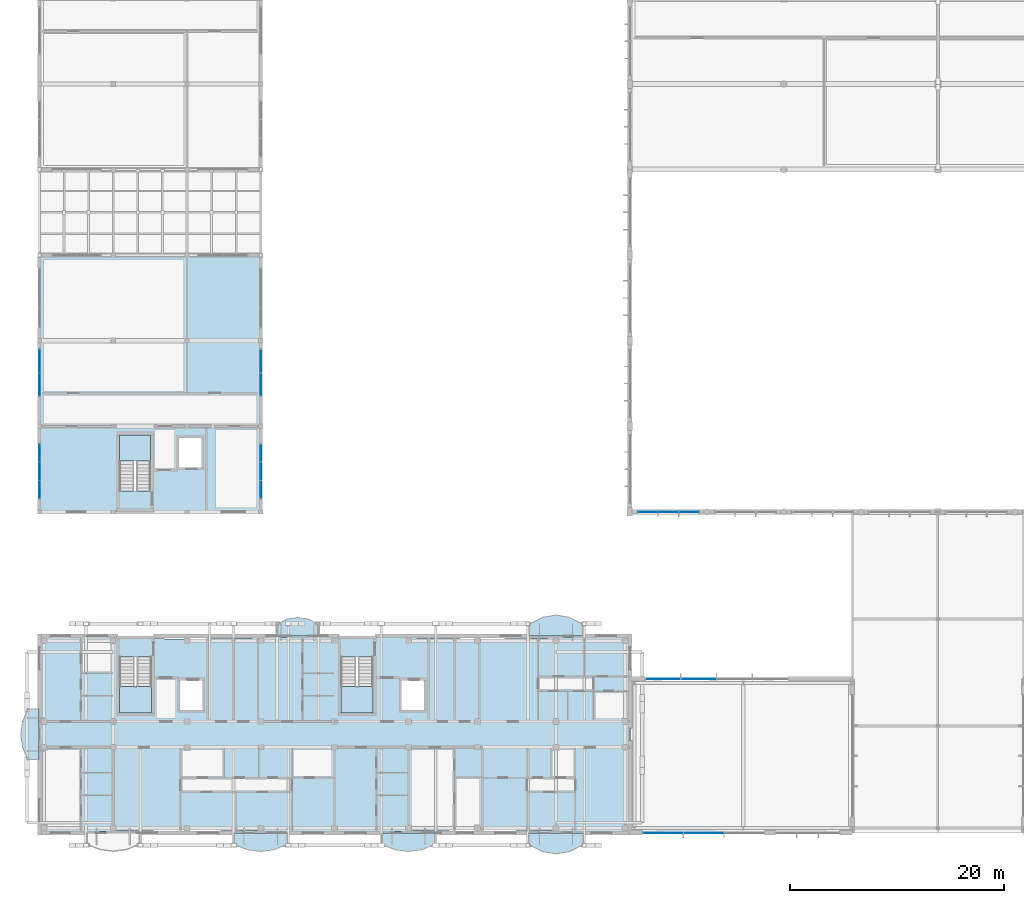
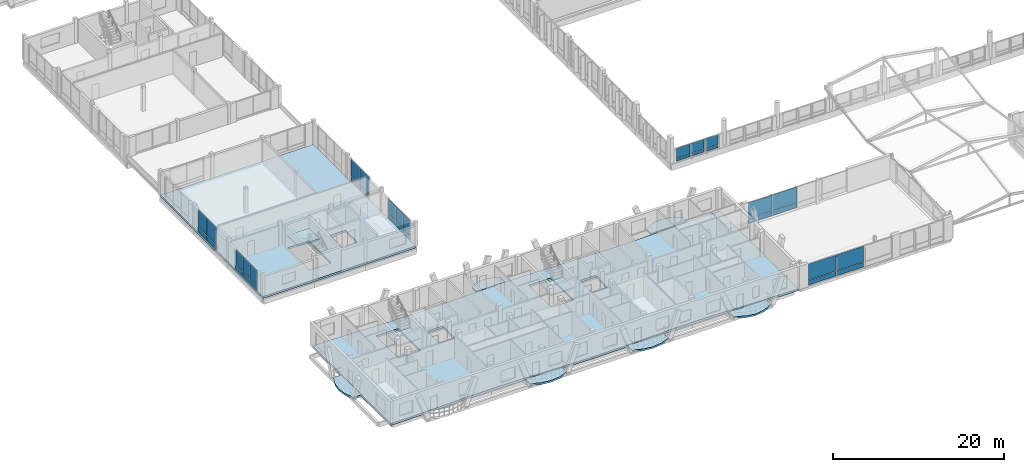
# One storey, part 123 of 189: 34 plates, 11 slabs, 10 elements without a shape of their own.
"""IFC4 building model written with IfcOpenShell, lengths in metres."""

from ifc_helpers import new_model, si_unit, direction, frame, origin, origin_2d, place, context, subcontext, project, spatial, polyline, rectangle, outline, extrude, material, layer, layer_set, type_object, element, aggregate, save


model = new_model("IFC4")

# Units and contexts
model_context = context("Model", 3, precision=1e-05, world=origin(), true_north=direction((0.0, 1.0)))
body_context = subcontext(model_context, "Body", "Model", "MODEL_VIEW")
ifc_project = project(units=[si_unit("LENGTHUNIT", "METRE"), si_unit("AREAUNIT", "SQUARE_METRE"), si_unit("VOLUMEUNIT", "CUBIC_METRE"), si_unit("PLANEANGLEUNIT", "RADIAN"), si_unit("MASSUNIT", "GRAM", prefix="KILO")], contexts=[model_context])

# Site, building, storey
site_placement = place(None, origin())
site = spatial("IfcSite", under=ifc_project, at=site_placement, CompositionType="ELEMENT")
building_placement = place(site_placement, origin())
building = spatial("IfcBuilding", under=site, at=building_placement, Name="Zavelmont Quarter", CompositionType="ELEMENT")
storey_placement = place(building_placement, frame((0.0, 0.0, 4.39990234375)))
storey = spatial("IfcBuildingStorey", under=building, at=storey_placement, Name="L01", CompositionType="ELEMENT", Elevation=4.39990234375)

# Curtain wall, plates
ifc_material_1 = material(Name="Thermally broken aluminium and double low-E safety glazing", Category="aluminium")
curtain_wall_type_1 = type_object("IfcCurtainWallType", Name="CW-520X296", PredefinedType="NOTDEFINED", material=ifc_material_1)
curtain_wall_1_placement = place(storey_placement, origin())
curtain_wall_1 = element("IfcCurtainWall", 1, at=curtain_wall_1_placement, inside=storey, type_object=curtain_wall_type_1, Name="L01 unitised curtain wall CW-520X296", PredefinedType="NOTDEFINED")
ifc_material_2 = material(Name="Insulated anodised-aluminium spandrel panel", Category="aluminium")
ifc_layer_1 = layer(ifc_material_2, 0.0400390625)
ifc_layer_set_1 = layer_set([ifc_layer_1], Name="Insulated anodised-aluminium spandrel panel")
plate_type_1 = type_object("IfcPlateType", Name="CWP-SPD-1645X620", PredefinedType="CURTAIN_PANEL", material=ifc_layer_set_1)
plate_1_placement = place(storey_placement, frame((0.0, 32.081787109375, 0.06005859375), z_axis=(0.0, 0.0, 1.0), x_axis=(0.0, 1.0, 0.0)))
plate_1 = element("IfcPlate", 2, at=plate_1_placement, type_object=plate_type_1, Name="CW-520X296 panel 1.1", PredefinedType="CURTAIN_PANEL", context=body_context, shape_type="SweptSolid", body=[
    extrude(rectangle(XDim=1.643310546875, YDim=0.0400390625, at=origin_2d()), origin(), (0.0, 0.0, 1.0), 0.6201171875),
])
plate_2_placement = place(storey_placement, frame((0.0, 35.518310546875, 0.06005859375), z_axis=(0.0, 0.0, 1.0), x_axis=(0.0, 1.0, 0.0)))
plate_2 = element("IfcPlate", 3, at=plate_2_placement, type_object=plate_type_1, Name="CW-520X296 panel 3.1", PredefinedType="CURTAIN_PANEL", context=body_context, shape_type="SweptSolid", body=[
    extrude(rectangle(XDim=1.643310546875, YDim=0.0400390625, at=origin_2d()), origin(), (0.0, 0.0, 1.0), 0.6201171875),
])

curtain_wall_2_placement = place(storey_placement, origin())
curtain_wall_2 = element("IfcCurtainWall", 4, at=curtain_wall_2_placement, inside=storey, type_object=curtain_wall_type_1, Name="L01 unitised curtain wall CW-520X296", PredefinedType="NOTDEFINED")
plate_3_placement = place(storey_placement, frame((20.699951171875, 32.081787109375, 0.06005859375), z_axis=(0.0, 0.0, 1.0), x_axis=(0.0, 1.0, 0.0)))
plate_3 = element("IfcPlate", 5, at=plate_3_placement, type_object=plate_type_1, Name="CW-520X296 panel 1.1", PredefinedType="CURTAIN_PANEL", context=body_context, shape_type="SweptSolid", body=[
    extrude(rectangle(XDim=1.643310546875, YDim=0.0400390625, at=origin_2d()), origin(), (0.0, 0.0, 1.0), 0.6201171875),
])
plate_4_placement = place(storey_placement, frame((20.699951171875, 35.518310546875, 0.06005859375), z_axis=(0.0, 0.0, 1.0), x_axis=(0.0, 1.0, 0.0)))
plate_4 = element("IfcPlate", 6, at=plate_4_placement, type_object=plate_type_1, Name="CW-520X296 panel 3.1", PredefinedType="CURTAIN_PANEL", context=body_context, shape_type="SweptSolid", body=[
    extrude(rectangle(XDim=1.643310546875, YDim=0.0400390625, at=origin_2d()), origin(), (0.0, 0.0, 1.0), 0.6201171875),
])

# Plate
ifc_layer_2 = layer(ifc_material_2, 0.0400390625)
ifc_layer_set_2 = layer_set([ifc_layer_2], Name="Insulated anodised-aluminium spandrel panel")
plate_type_2 = type_object("IfcPlateType", Name="CWP-SPD-1675X620", PredefinedType="CURTAIN_PANEL", material=ifc_layer_set_2)
plate_5_placement = place(storey_placement, frame((0.0, 33.800048828125, 0.06005859375), z_axis=(0.0, 0.0, 1.0), x_axis=(0.0, 1.0, 0.0)))
plate_5 = element("IfcPlate", 7, at=plate_5_placement, type_object=plate_type_2, Name="CW-520X296 panel 2.1", PredefinedType="CURTAIN_PANEL", context=body_context, shape_type="SweptSolid", body=[
    extrude(rectangle(XDim=1.67333984375, YDim=0.0400390625, at=origin_2d()), origin(), (0.0, 0.0, 1.0), 0.6201171875),
])

plate_6_placement = place(storey_placement, frame((20.699951171875, 33.800048828125, 0.06005859375), z_axis=(0.0, 0.0, 1.0), x_axis=(0.0, 1.0, 0.0)))
plate_6 = element("IfcPlate", 8, at=plate_6_placement, type_object=plate_type_2, Name="CW-520X296 panel 2.1", PredefinedType="CURTAIN_PANEL", context=body_context, shape_type="SweptSolid", body=[
    extrude(rectangle(XDim=1.67333984375, YDim=0.0400390625, at=origin_2d()), origin(), (0.0, 0.0, 1.0), 0.6201171875),
])

# Curtain wall, plates
curtain_wall_type_2 = type_object("IfcCurtainWallType", Name="CW-580X198", PredefinedType="NOTDEFINED", material=ifc_material_1)
curtain_wall_3_placement = place(storey_placement, origin())
curtain_wall_3 = element("IfcCurtainWall", 9, at=curtain_wall_3_placement, inside=storey, type_object=curtain_wall_type_2, Name="L01 unitised curtain wall CW-580X198", PredefinedType="NOTDEFINED")
ifc_layer_3 = layer(ifc_material_2, 0.0400390625)
ifc_layer_set_3 = layer_set([ifc_layer_3], Name="Insulated anodised-aluminium spandrel panel")
plate_type_3 = type_object("IfcPlateType", Name="CWP-SPD-1830X370", PredefinedType="CURTAIN_PANEL", material=ifc_layer_set_3)
plate_7_placement = place(storey_placement, frame((56.88427734375, 30.0, -0.2099609375), z_axis=(0.0, 0.0, 1.0), x_axis=(1.0, 0.0, 0.0)))
plate_7 = element("IfcPlate", 10, at=plate_7_placement, type_object=plate_type_3, Name="CW-580X198 panel 1.1", PredefinedType="CURTAIN_PANEL", context=body_context, shape_type="SweptSolid", body=[
    extrude(rectangle(XDim=1.828369140625, YDim=0.0400390625, at=origin_2d()), origin(), (0.0, 0.0, 1.0), 0.368896484375),
])
plate_8_placement = place(storey_placement, frame((60.7158203125, 30.0, -0.2099609375), z_axis=(0.0, 0.0, 1.0), x_axis=(1.0, 0.0, 0.0)))
plate_8 = element("IfcPlate", 11, at=plate_8_placement, type_object=plate_type_3, Name="CW-580X198 panel 3.1", PredefinedType="CURTAIN_PANEL", context=body_context, shape_type="SweptSolid", body=[
    extrude(rectangle(XDim=1.828369140625, YDim=0.0400390625, at=origin_2d()), origin(), (0.0, 0.0, 1.0), 0.368896484375),
])
ifc_layer_4 = layer(ifc_material_2, 0.0400390625)
ifc_layer_set_4 = layer_set([ifc_layer_4], Name="Insulated anodised-aluminium spandrel panel")
plate_type_4 = type_object("IfcPlateType", Name="CWP-SPD-1865X370", PredefinedType="CURTAIN_PANEL", material=ifc_layer_set_4)
plate_9_placement = place(storey_placement, frame((58.800048828125, 30.0, -0.2099609375), z_axis=(0.0, 0.0, 1.0), x_axis=(1.0, 0.0, 0.0)))
plate_9 = element("IfcPlate", 12, at=plate_9_placement, type_object=plate_type_4, Name="CW-580X198 panel 2.1", PredefinedType="CURTAIN_PANEL", context=body_context, shape_type="SweptSolid", body=[
    extrude(rectangle(XDim=1.86328125, YDim=0.0400390625, at=origin_2d()), origin(), (0.0, 0.0, 1.0), 0.368896484375),
])

curtain_wall_type_3 = type_object("IfcCurtainWallType", Name="CW-440X333", PredefinedType="NOTDEFINED", material=ifc_material_1)
curtain_wall_4_placement = place(storey_placement, origin())
curtain_wall_4 = element("IfcCurtainWall", 13, at=curtain_wall_4_placement, inside=storey, type_object=curtain_wall_type_3, Name="L01 unitised curtain wall CW-440X333", PredefinedType="NOTDEFINED")
ifc_layer_5 = layer(ifc_material_2, 0.0400390625)
ifc_layer_set_5 = layer_set([ifc_layer_5], Name="Insulated anodised-aluminium spandrel panel")
plate_type_5 = type_object("IfcPlateType", Name="CWP-SPD-2110X710", PredefinedType="CURTAIN_PANEL", material=ifc_layer_set_5)
plate_10_placement = place(storey_placement, frame((0.0, 41.9150390625, 0.06005859375), z_axis=(0.0, 0.0, 1.0), x_axis=(0.0, 1.0, 0.0)))
plate_10 = element("IfcPlate", 14, at=plate_10_placement, type_object=plate_type_5, Name="CW-440X333 panel 1.1", PredefinedType="CURTAIN_PANEL", context=body_context, shape_type="SweptSolid", body=[
    extrude(rectangle(XDim=2.110107421875, YDim=0.0400390625, at=origin_2d()), origin(), (0.0, 0.0, 1.0), 0.708984375),
])
plate_11_placement = place(storey_placement, frame((0.0, 44.0849609375, 0.06005859375), z_axis=(0.0, 0.0, 1.0), x_axis=(0.0, 1.0, 0.0)))
plate_11 = element("IfcPlate", 15, at=plate_11_placement, type_object=plate_type_5, Name="CW-440X333 panel 2.1", PredefinedType="CURTAIN_PANEL", context=body_context, shape_type="SweptSolid", body=[
    extrude(rectangle(XDim=2.110107421875, YDim=0.0400390625, at=origin_2d()), origin(), (0.0, 0.0, 1.0), 0.708984375),
])

curtain_wall_5_placement = place(storey_placement, origin())
curtain_wall_5 = element("IfcCurtainWall", 16, at=curtain_wall_5_placement, inside=storey, type_object=curtain_wall_type_3, Name="L01 unitised curtain wall CW-440X333", PredefinedType="NOTDEFINED")
plate_12_placement = place(storey_placement, frame((20.699951171875, 41.9150390625, 0.06005859375), z_axis=(0.0, 0.0, 1.0), x_axis=(0.0, 1.0, 0.0)))
plate_12 = element("IfcPlate", 17, at=plate_12_placement, type_object=plate_type_5, Name="CW-440X333 panel 1.1", PredefinedType="CURTAIN_PANEL", context=body_context, shape_type="SweptSolid", body=[
    extrude(rectangle(XDim=2.110107421875, YDim=0.0400390625, at=origin_2d()), origin(), (0.0, 0.0, 1.0), 0.708984375),
])
plate_13_placement = place(storey_placement, frame((20.699951171875, 44.0849609375, 0.06005859375), z_axis=(0.0, 0.0, 1.0), x_axis=(0.0, 1.0, 0.0)))
plate_13 = element("IfcPlate", 18, at=plate_13_placement, type_object=plate_type_5, Name="CW-440X333 panel 2.1", PredefinedType="CURTAIN_PANEL", context=body_context, shape_type="SweptSolid", body=[
    extrude(rectangle(XDim=2.110107421875, YDim=0.0400390625, at=origin_2d()), origin(), (0.0, 0.0, 1.0), 0.708984375),
])

curtain_wall_type_4 = type_object("IfcCurtainWallType", Name="CW-1340X310", PredefinedType="NOTDEFINED", material=ifc_material_1)
curtain_wall_6_placement = place(storey_placement, origin())
curtain_wall_6 = element("IfcCurtainWall", 19, at=curtain_wall_6_placement, inside=storey, type_object=curtain_wall_type_4, Name="L01 unitised curtain wall CW-1340X310", PredefinedType="NOTDEFINED")
ifc_layer_6 = layer(ifc_material_2, 0.0400390625)
ifc_layer_set_6 = layer_set([ifc_layer_6], Name="Insulated anodised-aluminium spandrel panel")
plate_type_6 = type_object("IfcPlateType", Name="CWP-SPD-3260X655", PredefinedType="CURTAIN_PANEL", material=ifc_layer_set_6)
plate_14_placement = place(storey_placement, frame((58.2900390625, 14.39990234375, 0.06005859375), z_axis=(0.0, 0.0, 1.0), x_axis=(1.0, 0.0, 0.0)))
plate_14 = element("IfcPlate", 20, at=plate_14_placement, type_object=plate_type_6, Name="CW-1340X310 panel 1.1", PredefinedType="CURTAIN_PANEL", context=body_context, shape_type="SweptSolid", body=[
    extrude(rectangle(XDim=3.260009765625, YDim=0.0400390625, at=origin_2d()), origin(), (0.0, 0.0, 1.0), 0.654052734375),
])
ifc_layer_7 = layer(ifc_material_2, 0.0400390625)
ifc_layer_set_7 = layer_set([ifc_layer_7], Name="Insulated anodised-aluminium spandrel panel")
plate_type_7 = type_object("IfcPlateType", Name="CWP-SPD-3290X655", PredefinedType="CURTAIN_PANEL", material=ifc_layer_set_7)
plate_15_placement = place(storey_placement, frame((61.625, 14.39990234375, 0.06005859375), z_axis=(0.0, 0.0, 1.0), x_axis=(1.0, 0.0, 0.0)))
plate_15 = element("IfcPlate", 21, at=plate_15_placement, type_object=plate_type_7, Name="CW-1340X310 panel 2.1", PredefinedType="CURTAIN_PANEL", context=body_context, shape_type="SweptSolid", body=[
    extrude(rectangle(XDim=3.2900390625, YDim=0.0400390625, at=origin_2d()), origin(), (0.0, 0.0, 1.0), 0.654052734375),
])

curtain_wall_type_5 = type_object("IfcCurtainWallType", Name="CW-1140X310", PredefinedType="NOTDEFINED", material=ifc_material_1)
curtain_wall_7_placement = place(storey_placement, origin())
curtain_wall_7 = element("IfcCurtainWall", 22, at=curtain_wall_7_placement, inside=storey, type_object=curtain_wall_type_5, Name="L01 unitised curtain wall CW-1140X310", PredefinedType="NOTDEFINED")
ifc_layer_8 = layer(ifc_material_2, 0.0400390625)
ifc_layer_set_8 = layer_set([ifc_layer_8], Name="Insulated anodised-aluminium spandrel panel")
plate_type_8 = type_object("IfcPlateType", Name="CWP-SPD-3710X655", PredefinedType="CURTAIN_PANEL", material=ifc_layer_set_8)
plate_16_placement = place(storey_placement, frame((58.31494140625, 0.0, 0.06005859375), z_axis=(0.0, 0.0, 1.0), x_axis=(1.0, 0.0, 0.0)))
plate_16 = element("IfcPlate", 23, at=plate_16_placement, type_object=plate_type_8, Name="CW-1140X310 panel 1.1", PredefinedType="CURTAIN_PANEL", context=body_context, shape_type="SweptSolid", body=[
    extrude(rectangle(XDim=3.7099609375, YDim=0.0400390625, at=origin_2d()), origin(), (0.0, 0.0, 1.0), 0.654052734375),
])
ifc_layer_9 = layer(ifc_material_2, 0.0400390625)
ifc_layer_set_9 = layer_set([ifc_layer_9], Name="Insulated anodised-aluminium spandrel panel")
plate_type_9 = type_object("IfcPlateType", Name="CWP-SPD-3740X655", PredefinedType="CURTAIN_PANEL", material=ifc_layer_set_9)
plate_17_placement = place(storey_placement, frame((62.10009765625, 0.0, 0.06005859375), z_axis=(0.0, 0.0, 1.0), x_axis=(1.0, 0.0, 0.0)))
plate_17 = element("IfcPlate", 24, at=plate_17_placement, type_object=plate_type_9, Name="CW-1140X310 panel 2.1", PredefinedType="CURTAIN_PANEL", context=body_context, shape_type="SweptSolid", body=[
    extrude(rectangle(XDim=3.739990234375, YDim=0.0400390625, at=origin_2d()), origin(), (0.0, 0.0, 1.0), 0.654052734375),
])

# Plate
ifc_material_3 = material(Name="Double low-E insulated vision glass", Category="glass")
ifc_layer_10 = layer(ifc_material_3, 0.028076171875)
ifc_layer_set_10 = layer_set([ifc_layer_10], Name="Double low-E insulated vision glass")
plate_type_10 = type_object("IfcPlateType", Name="CWP-VIS-1645X2160", PredefinedType="CURTAIN_PANEL", material=ifc_layer_set_10)
plate_18_placement = place(storey_placement, frame((0.0, 32.081787109375, 0.740234375), z_axis=(0.0, 0.0, 1.0), x_axis=(0.0, 1.0, 0.0)))
plate_18 = element("IfcPlate", 25, at=plate_18_placement, type_object=plate_type_10, Name="CW-520X296 panel 1.2", PredefinedType="CURTAIN_PANEL", context=body_context, shape_type="SweptSolid", body=[
    extrude(rectangle(XDim=1.643310546875, YDim=0.028076171875, at=origin_2d()), origin(), (0.0, 0.0, 1.0), 2.159912109375),
])

plate_19_placement = place(storey_placement, frame((0.0, 35.518310546875, 0.740234375), z_axis=(0.0, 0.0, 1.0), x_axis=(0.0, 1.0, 0.0)))
plate_19 = element("IfcPlate", 26, at=plate_19_placement, type_object=plate_type_10, Name="CW-520X296 panel 3.2", PredefinedType="CURTAIN_PANEL", context=body_context, shape_type="SweptSolid", body=[
    extrude(rectangle(XDim=1.643310546875, YDim=0.028076171875, at=origin_2d()), origin(), (0.0, 0.0, 1.0), 2.159912109375),
])

plate_20_placement = place(storey_placement, frame((20.699951171875, 32.081787109375, 0.740234375), z_axis=(0.0, 0.0, 1.0), x_axis=(0.0, 1.0, 0.0)))
plate_20 = element("IfcPlate", 27, at=plate_20_placement, type_object=plate_type_10, Name="CW-520X296 panel 1.2", PredefinedType="CURTAIN_PANEL", context=body_context, shape_type="SweptSolid", body=[
    extrude(rectangle(XDim=1.643310546875, YDim=0.028076171875, at=origin_2d()), origin(), (0.0, 0.0, 1.0), 2.159912109375),
])

plate_21_placement = place(storey_placement, frame((20.699951171875, 35.518310546875, 0.740234375), z_axis=(0.0, 0.0, 1.0), x_axis=(0.0, 1.0, 0.0)))
plate_21 = element("IfcPlate", 28, at=plate_21_placement, type_object=plate_type_10, Name="CW-520X296 panel 3.2", PredefinedType="CURTAIN_PANEL", context=body_context, shape_type="SweptSolid", body=[
    extrude(rectangle(XDim=1.643310546875, YDim=0.028076171875, at=origin_2d()), origin(), (0.0, 0.0, 1.0), 2.159912109375),
])

ifc_layer_11 = layer(ifc_material_3, 0.028076171875)
ifc_layer_set_11 = layer_set([ifc_layer_11], Name="Double low-E insulated vision glass")
plate_type_11 = type_object("IfcPlateType", Name="CWP-VIS-1675X2160", PredefinedType="CURTAIN_PANEL", material=ifc_layer_set_11)
plate_22_placement = place(storey_placement, frame((0.0, 33.800048828125, 0.740234375), z_axis=(0.0, 0.0, 1.0), x_axis=(0.0, 1.0, 0.0)))
plate_22 = element("IfcPlate", 29, at=plate_22_placement, type_object=plate_type_11, Name="CW-520X296 panel 2.2", PredefinedType="CURTAIN_PANEL", context=body_context, shape_type="SweptSolid", body=[
    extrude(rectangle(XDim=1.67333984375, YDim=0.028076171875, at=origin_2d()), origin(), (0.0, 0.0, 1.0), 2.159912109375),
])

aggregate(curtain_wall_1, [plate_1, plate_18, plate_5, plate_22, plate_2, plate_19])

plate_23_placement = place(storey_placement, frame((20.699951171875, 33.800048828125, 0.740234375), z_axis=(0.0, 0.0, 1.0), x_axis=(0.0, 1.0, 0.0)))
plate_23 = element("IfcPlate", 30, at=plate_23_placement, type_object=plate_type_11, Name="CW-520X296 panel 2.2", PredefinedType="CURTAIN_PANEL", context=body_context, shape_type="SweptSolid", body=[
    extrude(rectangle(XDim=1.67333984375, YDim=0.028076171875, at=origin_2d()), origin(), (0.0, 0.0, 1.0), 2.159912109375),
])

aggregate(curtain_wall_2, [plate_3, plate_20, plate_6, plate_23, plate_4, plate_21])

ifc_layer_12 = layer(ifc_material_3, 0.028076171875)
ifc_layer_set_12 = layer_set([ifc_layer_12], Name="Double low-E insulated vision glass")
plate_type_12 = type_object("IfcPlateType", Name="CWP-VIS-1830X1395", PredefinedType="CURTAIN_PANEL", material=ifc_layer_set_12)
plate_24_placement = place(storey_placement, frame((56.88427734375, 30.0, 0.22900390625), z_axis=(0.0, 0.0, 1.0), x_axis=(1.0, 0.0, 0.0)))
plate_24 = element("IfcPlate", 31, at=plate_24_placement, type_object=plate_type_12, Name="CW-580X198 panel 1.2", PredefinedType="CURTAIN_PANEL", context=body_context, shape_type="SweptSolid", body=[
    extrude(rectangle(XDim=1.828369140625, YDim=0.028076171875, at=origin_2d()), origin(), (0.0, 0.0, 1.0), 1.39599609375),
])

plate_25_placement = place(storey_placement, frame((60.7158203125, 30.0, 0.22900390625), z_axis=(0.0, 0.0, 1.0), x_axis=(1.0, 0.0, 0.0)))
plate_25 = element("IfcPlate", 32, at=plate_25_placement, type_object=plate_type_12, Name="CW-580X198 panel 3.2", PredefinedType="CURTAIN_PANEL", context=body_context, shape_type="SweptSolid", body=[
    extrude(rectangle(XDim=1.828369140625, YDim=0.028076171875, at=origin_2d()), origin(), (0.0, 0.0, 1.0), 1.39599609375),
])

ifc_layer_13 = layer(ifc_material_3, 0.028076171875)
ifc_layer_set_13 = layer_set([ifc_layer_13], Name="Double low-E insulated vision glass")
plate_type_13 = type_object("IfcPlateType", Name="CWP-VIS-1865X1395", PredefinedType="CURTAIN_PANEL", material=ifc_layer_set_13)
plate_26_placement = place(storey_placement, frame((58.800048828125, 30.0, 0.22900390625), z_axis=(0.0, 0.0, 1.0), x_axis=(1.0, 0.0, 0.0)))
plate_26 = element("IfcPlate", 33, at=plate_26_placement, type_object=plate_type_13, Name="CW-580X198 panel 2.2", PredefinedType="CURTAIN_PANEL", context=body_context, shape_type="SweptSolid", body=[
    extrude(rectangle(XDim=1.86328125, YDim=0.028076171875, at=origin_2d()), origin(), (0.0, 0.0, 1.0), 1.39599609375),
])

aggregate(curtain_wall_3, [plate_7, plate_24, plate_9, plate_26, plate_8, plate_25])

ifc_layer_14 = layer(ifc_material_3, 0.028076171875)
ifc_layer_set_14 = layer_set([ifc_layer_14], Name="Double low-E insulated vision glass")
plate_type_14 = type_object("IfcPlateType", Name="CWP-VIS-2110X2440", PredefinedType="CURTAIN_PANEL", material=ifc_layer_set_14)
plate_27_placement = place(storey_placement, frame((0.0, 41.9150390625, 0.8291015625), z_axis=(0.0, 0.0, 1.0), x_axis=(0.0, 1.0, 0.0)))
plate_27 = element("IfcPlate", 34, at=plate_27_placement, type_object=plate_type_14, Name="CW-440X333 panel 1.2", PredefinedType="CURTAIN_PANEL", context=body_context, shape_type="SweptSolid", body=[
    extrude(rectangle(XDim=2.110107421875, YDim=0.028076171875, at=origin_2d()), origin(), (0.0, 0.0, 1.0), 2.44091796875),
])

plate_28_placement = place(storey_placement, frame((0.0, 44.0849609375, 0.8291015625), z_axis=(0.0, 0.0, 1.0), x_axis=(0.0, 1.0, 0.0)))
plate_28 = element("IfcPlate", 35, at=plate_28_placement, type_object=plate_type_14, Name="CW-440X333 panel 2.2", PredefinedType="CURTAIN_PANEL", context=body_context, shape_type="SweptSolid", body=[
    extrude(rectangle(XDim=2.110107421875, YDim=0.028076171875, at=origin_2d()), origin(), (0.0, 0.0, 1.0), 2.44091796875),
])

aggregate(curtain_wall_4, [plate_10, plate_27, plate_11, plate_28])

plate_29_placement = place(storey_placement, frame((20.699951171875, 41.9150390625, 0.8291015625), z_axis=(0.0, 0.0, 1.0), x_axis=(0.0, 1.0, 0.0)))
plate_29 = element("IfcPlate", 36, at=plate_29_placement, type_object=plate_type_14, Name="CW-440X333 panel 1.2", PredefinedType="CURTAIN_PANEL", context=body_context, shape_type="SweptSolid", body=[
    extrude(rectangle(XDim=2.110107421875, YDim=0.028076171875, at=origin_2d()), origin(), (0.0, 0.0, 1.0), 2.44091796875),
])

plate_30_placement = place(storey_placement, frame((20.699951171875, 44.0849609375, 0.8291015625), z_axis=(0.0, 0.0, 1.0), x_axis=(0.0, 1.0, 0.0)))
plate_30 = element("IfcPlate", 37, at=plate_30_placement, type_object=plate_type_14, Name="CW-440X333 panel 2.2", PredefinedType="CURTAIN_PANEL", context=body_context, shape_type="SweptSolid", body=[
    extrude(rectangle(XDim=2.110107421875, YDim=0.028076171875, at=origin_2d()), origin(), (0.0, 0.0, 1.0), 2.44091796875),
])

aggregate(curtain_wall_5, [plate_12, plate_29, plate_13, plate_30])

ifc_layer_15 = layer(ifc_material_3, 0.028076171875)
ifc_layer_set_15 = layer_set([ifc_layer_15], Name="Double low-E insulated vision glass")
plate_type_15 = type_object("IfcPlateType", Name="CWP-VIS-3260X2265", PredefinedType="CURTAIN_PANEL", material=ifc_layer_set_15)
plate_31_placement = place(storey_placement, frame((58.2900390625, 14.39990234375, 0.77392578125), z_axis=(0.0, 0.0, 1.0), x_axis=(1.0, 0.0, 0.0)))
plate_31 = element("IfcPlate", 38, at=plate_31_placement, type_object=plate_type_15, Name="CW-1340X310 panel 1.2", PredefinedType="CURTAIN_PANEL", context=body_context, shape_type="SweptSolid", body=[
    extrude(rectangle(XDim=3.260009765625, YDim=0.028076171875, at=origin_2d()), origin(), (0.0, 0.0, 1.0), 2.26611328125),
])

ifc_layer_16 = layer(ifc_material_3, 0.028076171875)
ifc_layer_set_16 = layer_set([ifc_layer_16], Name="Double low-E insulated vision glass")
plate_type_16 = type_object("IfcPlateType", Name="CWP-VIS-3290X2265", PredefinedType="CURTAIN_PANEL", material=ifc_layer_set_16)
plate_32_placement = place(storey_placement, frame((61.625, 14.39990234375, 0.77392578125), z_axis=(0.0, 0.0, 1.0), x_axis=(1.0, 0.0, 0.0)))
plate_32 = element("IfcPlate", 39, at=plate_32_placement, type_object=plate_type_16, Name="CW-1340X310 panel 2.2", PredefinedType="CURTAIN_PANEL", context=body_context, shape_type="SweptSolid", body=[
    extrude(rectangle(XDim=3.2900390625, YDim=0.028076171875, at=origin_2d()), origin(), (0.0, 0.0, 1.0), 2.26611328125),
])

aggregate(curtain_wall_6, [plate_14, plate_31, plate_15, plate_32])

ifc_layer_17 = layer(ifc_material_3, 0.028076171875)
ifc_layer_set_17 = layer_set([ifc_layer_17], Name="Double low-E insulated vision glass")
plate_type_17 = type_object("IfcPlateType", Name="CWP-VIS-3710X2265", PredefinedType="CURTAIN_PANEL", material=ifc_layer_set_17)
plate_33_placement = place(storey_placement, frame((58.31494140625, 0.0, 0.77392578125), z_axis=(0.0, 0.0, 1.0), x_axis=(1.0, 0.0, 0.0)))
plate_33 = element("IfcPlate", 40, at=plate_33_placement, type_object=plate_type_17, Name="CW-1140X310 panel 1.2", PredefinedType="CURTAIN_PANEL", context=body_context, shape_type="SweptSolid", body=[
    extrude(rectangle(XDim=3.7099609375, YDim=0.028076171875, at=origin_2d()), origin(), (0.0, 0.0, 1.0), 2.26611328125),
])

ifc_layer_18 = layer(ifc_material_3, 0.028076171875)
ifc_layer_set_18 = layer_set([ifc_layer_18], Name="Double low-E insulated vision glass")
plate_type_18 = type_object("IfcPlateType", Name="CWP-VIS-3740X2265", PredefinedType="CURTAIN_PANEL", material=ifc_layer_set_18)
plate_34_placement = place(storey_placement, frame((62.10009765625, 0.0, 0.77392578125), z_axis=(0.0, 0.0, 1.0), x_axis=(1.0, 0.0, 0.0)))
plate_34 = element("IfcPlate", 41, at=plate_34_placement, type_object=plate_type_18, Name="CW-1140X310 panel 2.2", PredefinedType="CURTAIN_PANEL", context=body_context, shape_type="SweptSolid", body=[
    extrude(rectangle(XDim=3.739990234375, YDim=0.028076171875, at=origin_2d()), origin(), (0.0, 0.0, 1.0), 2.26611328125),
])

aggregate(curtain_wall_7, [plate_16, plate_33, plate_17, plate_34])

# Slabs
ifc_material_4 = material(Name="White architectural precast concrete C40/50", Category="concrete")
ifc_layer_19 = layer(ifc_material_4, 0.235107421875)
ifc_layer_set_19 = layer_set([ifc_layer_19], Name="White architectural precast concrete C40/50")
slab_type_1 = type_object("IfcSlabType", Name="SL-BL180", PredefinedType="FLOOR", material=ifc_layer_set_19)
slab_1_placement = place(storey_placement, frame((0.0, 0.0, -0.23486328125)))
element("IfcSlab", 42, at=slab_1_placement, inside=storey, type_object=slab_type_1, Name="L01 Block A street vase 4 balcony SL-BL180", PredefinedType="FLOOR", context=body_context, shape_type="SweptSolid", body=[
    extrude(outline(polyline([(45.767333984375, -0.02001953125), (45.767333984375, -1.100341796875), (47.03369140625, -1.748779296875), (48.300048828125, -1.965087890625), (49.56640625, -1.748779296875), (50.83251953125, -1.100341796875), (50.83251953125, -0.02001953125), (45.767333984375, -0.02001953125)])), origin(), (0.0, 0.0, 1.0), 0.23486328125),
])
slab_2_placement = place(storey_placement, frame((0.0, 0.0, -0.23486328125)))
element("IfcSlab", 43, at=slab_2_placement, inside=storey, type_object=slab_type_1, Name="L01 Block A courtyard central vase balcony SL-BL180", PredefinedType="FLOOR", context=body_context, shape_type="SweptSolid", body=[
    extrude(outline(polyline([(26.08642578125, 18.419921875), (26.08642578125, 19.5), (25.1181640625, 19.976318359375), (24.14990234375, 20.135009765625), (23.181884765625, 19.976318359375), (22.213623046875, 19.5), (22.213623046875, 18.419921875), (26.08642578125, 18.419921875)])), origin(), (0.0, 0.0, 1.0), 0.23486328125),
])
ifc_layer_20 = layer(ifc_material_4, 0.2451171875)
ifc_layer_set_20 = layer_set([ifc_layer_20], Name="White architectural precast concrete C40/50")
slab_type_2 = type_object("IfcSlabType", Name="SL-BL200", PredefinedType="FLOOR", material=ifc_layer_set_20)
slab_3_placement = place(storey_placement, frame((0.0, 0.0, -0.244873046875)))
element("IfcSlab", 44, at=slab_3_placement, inside=storey, type_object=slab_type_2, Name="L01 Block A street vase 3 balcony SL-BL200", PredefinedType="FLOOR", context=body_context, shape_type="SweptSolid", body=[
    extrude(outline(polyline([(32.05029296875, -0.02001953125), (32.05029296875, -1.10009765625), (33.275146484375, -1.576416015625), (34.5, -1.735107421875), (35.724853515625, -1.576416015625), (36.94970703125, -1.10009765625), (36.94970703125, -0.02001953125), (32.05029296875, -0.02001953125)])), origin(), (0.0, 0.0, 1.0), 0.244873046875),
])
slab_4_placement = place(storey_placement, frame((0.0, 0.0, -0.244873046875)))
element("IfcSlab", 45, at=slab_4_placement, inside=storey, type_object=slab_type_2, Name="L01 Block A courtyard outer vase balcony SL-BL200", PredefinedType="FLOOR", context=body_context, shape_type="SweptSolid", body=[
    extrude(outline(polyline([(50.767333984375, 18.419921875), (50.767333984375, 19.50048828125), (49.53369140625, 20.148681640625), (48.300048828125, 20.364990234375), (47.06640625, 20.148681640625), (45.832763671875, 19.50048828125), (45.832763671875, 18.419921875), (50.767333984375, 18.419921875)])), origin(), (0.0, 0.0, 1.0), 0.244873046875),
])
ifc_layer_21 = layer(ifc_material_4, 0.2548828125)
ifc_layer_set_21 = layer_set([ifc_layer_21], Name="White architectural precast concrete C40/50")
slab_type_3 = type_object("IfcSlabType", Name="SL-BL220", PredefinedType="FLOOR", material=ifc_layer_set_21)
slab_5_placement = place(storey_placement, frame((0.0, 0.0, -0.2548828125)))
element("IfcSlab", 46, at=slab_5_placement, inside=storey, type_object=slab_type_3, Name="L01 Block A street vase 2 balcony SL-BL220", PredefinedType="FLOOR", context=body_context, shape_type="SweptSolid", body=[
    extrude(outline(polyline([(18.25048828125, -0.02001953125), (18.25048828125, -1.10009765625), (19.47509765625, -1.576416015625), (20.699951171875, -1.735107421875), (21.9248046875, -1.576416015625), (23.149658203125, -1.10009765625), (23.149658203125, -0.02001953125), (18.25048828125, -0.02001953125)])), origin(), (0.0, 0.0, 1.0), 0.2548828125),
])
slab_6_placement = place(storey_placement, frame((0.0, 0.0, -0.2548828125)))
element("IfcSlab", 47, at=slab_6_placement, inside=storey, type_object=slab_type_3, Name="L01 Block A boulevard vase balcony SL-BL220", PredefinedType="FLOOR", context=body_context, shape_type="SweptSolid", body=[
    extrude(outline(polyline([(-0.02001953125, 11.55908203125), (-1.10009765625, 11.55908203125), (-1.576416015625, 10.37939453125), (-1.735107421875, 9.199951171875), (-1.576416015625, 8.0205078125), (-1.10009765625, 6.841064453125), (-0.02001953125, 6.841064453125), (-0.02001953125, 11.55908203125)])), origin(), (0.0, 0.0, 1.0), 0.2548828125),
])
ifc_material_5 = material(Name="Concrete C40/50", Category="concrete")
ifc_layer_22 = layer(ifc_material_5, 0.280029296875)
ifc_layer_set_22 = layer_set([ifc_layer_22], Name="Concrete C40/50")
slab_type_4 = type_object("IfcSlabType", Name="SL-FL280", PredefinedType="FLOOR", material=ifc_layer_set_22)
slab_7_placement = place(storey_placement, frame((0.0, 0.0, -0.27978515625)))
element("IfcSlab", 48, at=slab_7_placement, inside=storey, type_object=slab_type_4, Name="L01 Block A floor slab SL-FL280", PredefinedType="FLOOR", context=body_context, shape_type="SweptSolid", body=[
    extrude(outline(polyline([(0.0, 0.0), (3.449951171875, 0.041015625), (6.89990234375, 0.139892578125), (10.35009765625, 0.239013671875), (13.800048828125, 0.280029296875), (17.25, 0.239013671875), (20.699951171875, 0.139892578125), (24.14990234375, 0.041015625), (27.60009765625, 0.0), (31.050048828125, 0.041015625), (34.5, 0.139892578125), (37.949951171875, 0.239013671875), (41.39990234375, 0.280029296875), (44.85009765625, 0.239013671875), (48.300048828125, 0.139892578125), (51.75, 0.041015625), (55.199951171875, 0.0), (55.199951171875, 3.679931640625), (55.199951171875, 7.360107421875), (55.199951171875, 11.0400390625), (55.199951171875, 14.719970703125), (55.199951171875, 18.39990234375), (51.75, 18.35888671875), (48.300048828125, 18.260009765625), (44.85009765625, 18.160888671875), (41.39990234375, 18.1201171875), (37.949951171875, 18.160888671875), (34.5, 18.260009765625), (31.050048828125, 18.35888671875), (27.60009765625, 18.39990234375), (24.14990234375, 18.35888671875), (20.699951171875, 18.260009765625), (17.25, 18.160888671875), (13.800048828125, 18.1201171875), (10.35009765625, 18.160888671875), (6.89990234375, 18.260009765625), (3.449951171875, 18.35888671875), (0.0, 18.39990234375), (0.0, 14.719970703125), (0.0, 11.0400390625), (0.0, 7.360107421875), (0.0, 3.679931640625), (0.0, 0.0)]), holes=[polyline([(7.5, 16.425048828125), (7.5, 11.199951171875), (10.5, 11.199951171875), (10.5, 16.425048828125), (7.5, 16.425048828125)]), polyline([(13.14990234375, 11.5), (15.25, 11.5), (15.25, 14.25), (13.14990234375, 14.25), (13.14990234375, 11.5)]), polyline([(28.199951171875, 16.425048828125), (28.199951171875, 11.199951171875), (31.199951171875, 11.199951171875), (31.199951171875, 16.425048828125), (28.199951171875, 16.425048828125)]), polyline([(33.85009765625, 11.5), (35.949951171875, 11.5), (35.949951171875, 14.25), (33.85009765625, 14.25), (33.85009765625, 11.5)])]), origin(), (0.0, 0.0, 1.0), 0.27978515625),
])
slab_8_placement = place(storey_placement, frame((0.0, 0.0, -0.27978515625)))
element("IfcSlab", 49, at=slab_8_placement, inside=storey, type_object=slab_type_4, Name="L01 West Shops South slab SL-FL280", PredefinedType="FLOOR", context=body_context, shape_type="SweptSolid", body=[
    extrude(outline(polyline([(0.0, 30.0), (20.699951171875, 30.0), (20.699951171875, 54.0), (0.0, 54.0), (0.0, 30.0)]), holes=[polyline([(10.39990234375, 31.97509765625), (10.39990234375, 37.199951171875), (7.5, 37.199951171875), (7.5, 31.97509765625), (10.39990234375, 31.97509765625)]), polyline([(13.050048828125, 34.14990234375), (15.14990234375, 34.14990234375), (15.14990234375, 36.89990234375), (13.050048828125, 36.89990234375), (13.050048828125, 34.14990234375)])]), origin(), (0.0, 0.0, 1.0), 0.27978515625),
])

# Stair, slab
ifc_material_6 = material(Name="Concrete C35/45", Category="concrete")
stair_type_1 = type_object("IfcStairType", Name="STR-1400-1800", PredefinedType="HALF_TURN_STAIR", material=ifc_material_6)
stair_1_placement = place(storey_placement, origin())
stair_1 = element("IfcStair", 50, at=stair_1_placement, inside=storey, type_object=stair_type_1, Name="L01 protected stair ST01", PredefinedType="HALF_TURN_STAIR")
ifc_layer_23 = layer(ifc_material_6, 0.199951171875)
ifc_layer_set_23 = layer_set([ifc_layer_23], Name="Concrete C35/45")
slab_type_5 = type_object("IfcSlabType", Name="SL-LND200", PredefinedType="LANDING", material=ifc_layer_set_23)
slab_9_placement = place(storey_placement, frame((0.0, 0.0, 1.60009765625)))
slab_9 = element("IfcSlab", 51, at=slab_9_placement, type_object=slab_type_5, Name="ST01 landing 1", PredefinedType="LANDING", context=body_context, shape_type="SweptSolid", body=[
    extrude(outline(polyline([(7.5, 13.659912109375), (7.5, 11.199951171875), (10.5, 11.199951171875), (10.5, 13.659912109375), (7.5, 13.659912109375)])), origin(), (0.0, 0.0, 1.0), 0.199951171875),
])
aggregate(stair_1, [slab_9])

stair_2_placement = place(storey_placement, origin())
stair_2 = element("IfcStair", 52, at=stair_2_placement, inside=storey, type_object=stair_type_1, Name="L01 protected stair ST02", PredefinedType="HALF_TURN_STAIR")
slab_10_placement = place(storey_placement, frame((0.0, 0.0, 1.60009765625)))
slab_10 = element("IfcSlab", 53, at=slab_10_placement, type_object=slab_type_5, Name="ST02 landing 1", PredefinedType="LANDING", context=body_context, shape_type="SweptSolid", body=[
    extrude(outline(polyline([(28.199951171875, 13.659912109375), (28.199951171875, 11.199951171875), (31.199951171875, 11.199951171875), (31.199951171875, 13.659912109375), (28.199951171875, 13.659912109375)])), origin(), (0.0, 0.0, 1.0), 0.199951171875),
])
aggregate(stair_2, [slab_10])

stair_type_2 = type_object("IfcStairType", Name="STR-1350-1800", PredefinedType="HALF_TURN_STAIR", material=ifc_material_6)
stair_3_placement = place(storey_placement, origin())
stair_3 = element("IfcStair", 54, at=stair_3_placement, inside=storey, type_object=stair_type_2, Name="L01 protected stair ST13", PredefinedType="HALF_TURN_STAIR")
slab_11_placement = place(storey_placement, frame((0.0, 0.0, 1.60009765625)))
slab_11 = element("IfcSlab", 55, at=slab_11_placement, type_object=slab_type_5, Name="ST13 landing 1", PredefinedType="LANDING", context=body_context, shape_type="SweptSolid", body=[
    extrude(outline(polyline([(10.39990234375, 34.739990234375), (10.39990234375, 37.199951171875), (7.5, 37.199951171875), (7.5, 34.739990234375), (10.39990234375, 34.739990234375)])), origin(), (0.0, 0.0, 1.0), 0.199951171875),
])
aggregate(stair_3, [slab_11])

save(model, "model.ifc")
